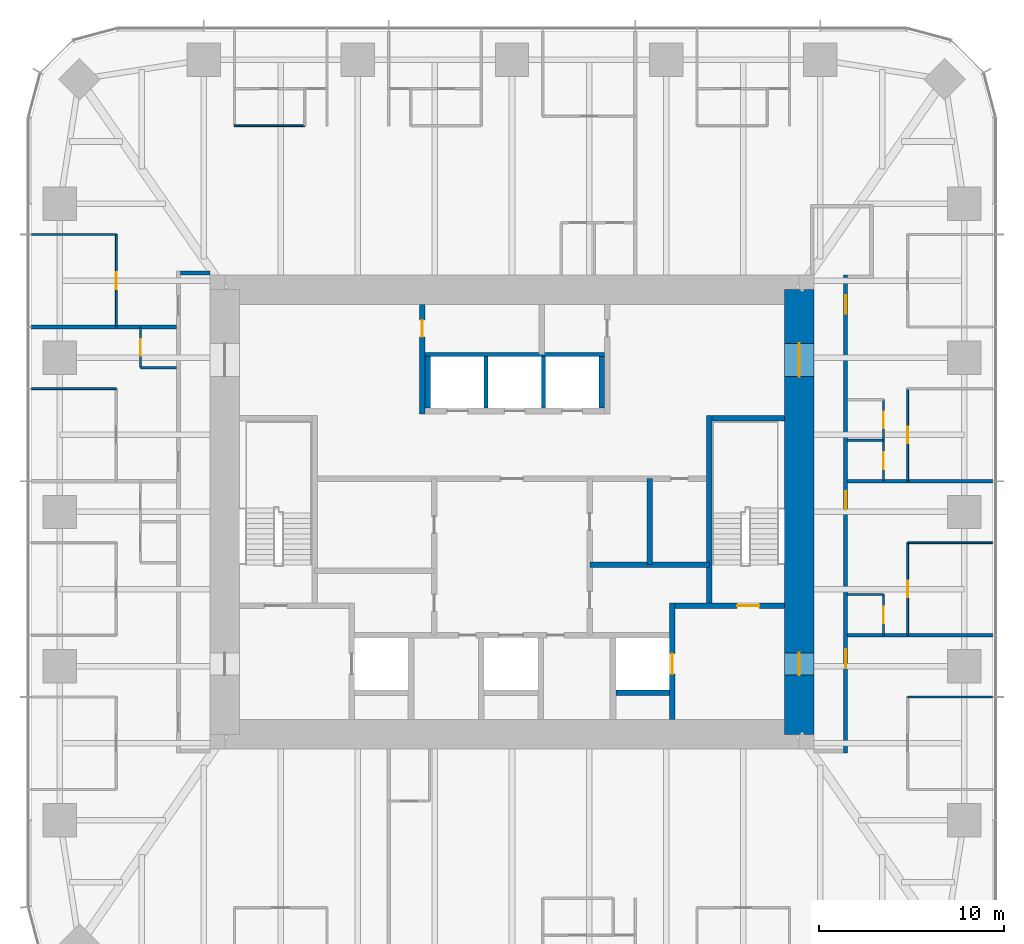
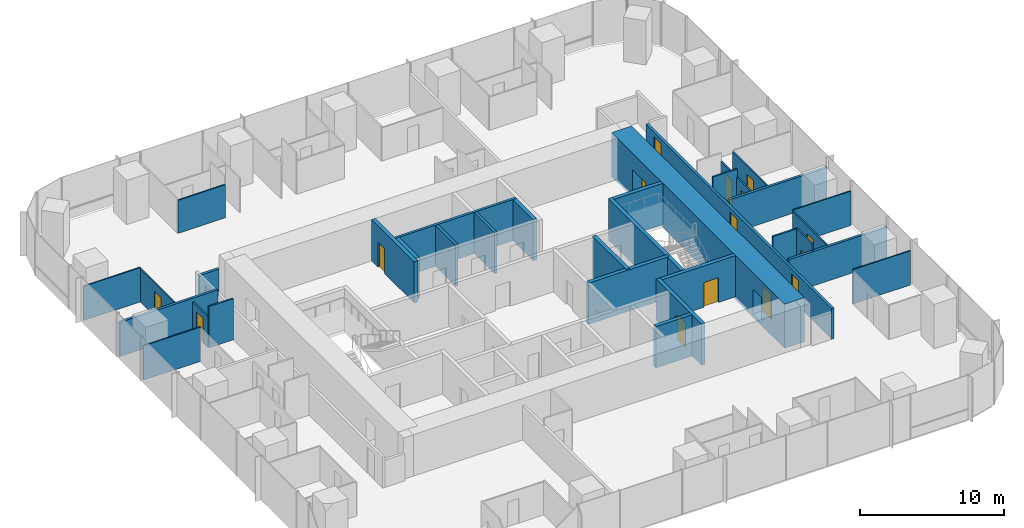
# One storey, part 10 of 12: 33 walls, 15 doors, 15 openings.
"""IFC4 building model written with IfcOpenShell, lengths in metres."""

from ifc_helpers import new_model, si_unit, direction, frame, frame_2d, origin, place, context, subcontext, project, spatial, rectangle, extrude, material, layer, layer_set, type_object, element, fill, save


model = new_model("IFC4")

# Units and contexts
model_context = context("Model", 3, precision=1e-05, world=origin(), true_north=direction((0.0, 1.0)))
body_context = subcontext(model_context, "Body", "Model", "MODEL_VIEW")
ifc_project = project(units=[si_unit("LENGTHUNIT", "METRE"), si_unit("AREAUNIT", "SQUARE_METRE"), si_unit("VOLUMEUNIT", "CUBIC_METRE"), si_unit("PLANEANGLEUNIT", "RADIAN"), si_unit("MASSUNIT", "GRAM", prefix="KILO")], contexts=[model_context])

# Site, building, storey
site_placement = place(None, origin())
site = spatial("IfcSite", under=ifc_project, at=site_placement, CompositionType="ELEMENT")
building_placement = place(site_placement, origin())
building = spatial("IfcBuilding", under=site, at=building_placement, Name="Khuree Lantern Residences", CompositionType="ELEMENT")
storey_placement = place(building_placement, frame((0.0, 0.0, 240.75)))
storey = spatial("IfcBuildingStorey", under=building, at=storey_placement, Name="L60", CompositionType="ELEMENT", Elevation=240.75)

# Wall, opening, door
ifc_material_1 = material(Name="Moisture-resistant gypsum board on steel studs", Category="steel")
ifc_layer_1 = layer(ifc_material_1, 0.125)
ifc_layer_set_1 = layer_set([ifc_layer_1], Name="BATHROOM WALL BTW125")
wall_type_1 = type_object("IfcWallType", Name="BATHROOM WALL BTW125", PredefinedType="PARTITIONING", material=ifc_layer_set_1)
wall_1_placement = place(storey_placement, frame((20.050048828125, -6.656005859375, 0.0), z_axis=(0.0, 0.0, 1.0), x_axis=(0.0, 1.0, 0.0)))
wall_1 = element("IfcWall", 1, at=wall_1_placement, inside=storey, type_object=wall_type_1, Name="L60 BATHROOM WALL 01", PredefinedType="PARTITIONING", context=body_context, shape_type="SweptSolid", body=[
    extrude(rectangle(XDim=2.199951171875, YDim=0.125, at=frame_2d((1.10009765625, 0.0))), origin(), (0.0, 0.0, 1.0), 3.5),
])
opening_1_placement = place(wall_1_placement, frame((0.64990234375, 0.0, 0.0)))
opening_1 = element("IfcOpeningElement", 2, at=opening_1_placement, cuts=wall_1, Name="Opening 60-024", PredefinedType="OPENING", context=body_context, shape_type="SweptSolid", body=[
    extrude(rectangle(XDim=0.89990234375, YDim=2.10009765625, at=frame_2d((0.449951171875, 1.050048828125))), frame((0.0, 0.072509765625, 0.0), z_axis=(0.0, -1.0, 0.0), x_axis=(1.0, 0.0, 0.0)), (0.0, 0.0, 1.0), 0.14501953125),
])
ifc_material_2 = material(Name="Timber door leaf in hardwood frame", Category="wood")
door_type_1 = type_object("IfcDoorType", Name="BATHROOM DOOR 900X2100", OperationType="SINGLE_SWING_LEFT", PredefinedType="DOOR", material=ifc_material_2)
door_1_placement = place(opening_1_placement, origin())
door_1 = element("IfcDoor", 3, at=door_1_placement, inside=storey, type_object=door_type_1, Name="Bathroom door 60-024", OperationType="SINGLE_SWING_LEFT", OverallHeight=2.10009765625, OverallWidth=0.89990234375, PredefinedType="DOOR", context=body_context, shape_type="SweptSolid", body=[
    extrude(rectangle(XDim=0.89990234375, YDim=2.10009765625, at=frame_2d((0.449951171875, 1.050048828125))), frame((0.0, 0.02490234375, 0.0), z_axis=(0.0, -1.0, 0.0), x_axis=(1.0, 0.0, 0.0)), (0.0, 0.0, 1.0), 0.050048828125),
])
fill(opening_1, door_1)

# Wall
wall_2_placement = place(storey_placement, frame((18.10009765625, -4.4560546875, 0.0), z_axis=(0.0, 0.0, 1.0), x_axis=(1.0, 0.0, 0.0)))
element("IfcWall", 4, at=wall_2_placement, inside=storey, type_object=wall_type_1, Name="L60 BATHROOM WALL 01", PredefinedType="PARTITIONING", context=body_context, shape_type="SweptSolid", body=[
    extrude(rectangle(XDim=1.949951171875, YDim=0.125, at=frame_2d((0.97509765625, 0.0))), origin(), (0.0, 0.0, 1.0), 3.5),
])

# Wall, openings, doors
wall_3_placement = place(storey_placement, frame((20.050048828125, 1.6640625, 0.0), z_axis=(0.0, 0.0, 1.0), x_axis=(0.0, 1.0, 0.0)))
wall_3 = element("IfcWall", 5, at=wall_3_placement, inside=storey, type_object=wall_type_1, Name="L60 BATHROOM WALL 02", PredefinedType="PARTITIONING", context=body_context, shape_type="SweptSolid", body=[
    extrude(rectangle(XDim=4.39990234375, YDim=0.125, at=frame_2d((2.199951171875, 0.0))), origin(), (0.0, 0.0, 1.0), 2.81005859375),
])
opening_2_placement = place(wall_3_placement, frame((0.64990234375, 0.0, 0.0)))
opening_2 = element("IfcOpeningElement", 6, at=opening_2_placement, cuts=wall_3, Name="Opening 60-030", PredefinedType="OPENING", context=body_context, shape_type="SweptSolid", body=[
    extrude(rectangle(XDim=0.89990234375, YDim=2.10009765625, at=frame_2d((0.449951171875, 1.050048828125))), frame((0.0, 0.072509765625, 0.0), z_axis=(0.0, -1.0, 0.0), x_axis=(1.0, 0.0, 0.0)), (0.0, 0.0, 1.0), 0.14501953125),
])
opening_3_placement = place(wall_3_placement, frame((2.85009765625, 0.0, 0.0)))
opening_3 = element("IfcOpeningElement", 7, at=opening_3_placement, cuts=wall_3, Name="Opening 60-031", PredefinedType="OPENING", context=body_context, shape_type="SweptSolid", body=[
    extrude(rectangle(XDim=0.89990234375, YDim=2.10009765625, at=frame_2d((0.449951171875, 1.050048828125))), frame((0.0, 0.072509765625, 0.0), z_axis=(0.0, -1.0, 0.0), x_axis=(1.0, 0.0, 0.0)), (0.0, 0.0, 1.0), 0.14501953125),
])
door_2_placement = place(opening_2_placement, origin())
door_2 = element("IfcDoor", 8, at=door_2_placement, inside=storey, type_object=door_type_1, Name="Bathroom door 60-030", OperationType="SINGLE_SWING_LEFT", OverallHeight=2.10009765625, OverallWidth=0.89990234375, PredefinedType="DOOR", context=body_context, shape_type="SweptSolid", body=[
    extrude(rectangle(XDim=0.89990234375, YDim=2.10009765625, at=frame_2d((0.449951171875, 1.050048828125))), frame((0.0, 0.02490234375, 0.0), z_axis=(0.0, -1.0, 0.0), x_axis=(1.0, 0.0, 0.0)), (0.0, 0.0, 1.0), 0.050048828125),
])
fill(opening_2, door_2)
door_3_placement = place(opening_3_placement, origin())
door_3 = element("IfcDoor", 9, at=door_3_placement, inside=storey, type_object=door_type_1, Name="Bathroom door 60-031", OperationType="SINGLE_SWING_LEFT", OverallHeight=2.10009765625, OverallWidth=0.89990234375, PredefinedType="DOOR", context=body_context, shape_type="SweptSolid", body=[
    extrude(rectangle(XDim=0.89990234375, YDim=2.10009765625, at=frame_2d((0.449951171875, 1.050048828125))), frame((0.0, 0.02490234375, 0.0), z_axis=(0.0, -1.0, 0.0), x_axis=(1.0, 0.0, 0.0)), (0.0, 0.0, 1.0), 0.050048828125),
])
fill(opening_3, door_3)

# Wall
wall_4_placement = place(storey_placement, frame((18.10009765625, 3.864013671875, 0.0), z_axis=(0.0, 0.0, 1.0), x_axis=(1.0, 0.0, 0.0)))
element("IfcWall", 10, at=wall_4_placement, inside=storey, type_object=wall_type_1, Name="L60 BATHROOM WALL 02", PredefinedType="PARTITIONING", context=body_context, shape_type="SweptSolid", body=[
    extrude(rectangle(XDim=1.949951171875, YDim=0.125, at=frame_2d((0.97509765625, 0.0))), origin(), (0.0, 0.0, 1.0), 3.5),
])

# Wall, opening, door
wall_5_placement = place(storey_placement, frame((-20.050048828125, 9.98388671875, 0.0), z_axis=(0.0, 0.0, 1.0), x_axis=(0.0, -1.0, 0.0)))
wall_5 = element("IfcWall", 11, at=wall_5_placement, inside=storey, type_object=wall_type_1, Name="L60 BATHROOM WALL 04", PredefinedType="PARTITIONING", context=body_context, shape_type="SweptSolid", body=[
    extrude(rectangle(XDim=2.199951171875, YDim=0.125, at=frame_2d((1.10009765625, 0.0))), origin(), (0.0, 0.0, 1.0), 2.60009765625),
])
opening_4_placement = place(wall_5_placement, frame((0.64990234375, 0.0, 0.0)))
opening_4 = element("IfcOpeningElement", 12, at=opening_4_placement, cuts=wall_5, Name="Opening 60-043", PredefinedType="OPENING", context=body_context, shape_type="SweptSolid", body=[
    extrude(rectangle(XDim=0.89990234375, YDim=2.10009765625, at=frame_2d((0.449951171875, 1.050048828125))), frame((0.0, 0.072509765625, 0.0), z_axis=(0.0, -1.0, 0.0), x_axis=(1.0, 0.0, 0.0)), (0.0, 0.0, 1.0), 0.14501953125),
])
door_4_placement = place(opening_4_placement, origin())
door_4 = element("IfcDoor", 13, at=door_4_placement, inside=storey, type_object=door_type_1, Name="Bathroom door 60-043", OperationType="SINGLE_SWING_LEFT", OverallHeight=2.10009765625, OverallWidth=0.89990234375, PredefinedType="DOOR", context=body_context, shape_type="SweptSolid", body=[
    extrude(rectangle(XDim=0.89990234375, YDim=2.10009765625, at=frame_2d((0.449951171875, 1.050048828125))), frame((0.0, 0.02490234375, 0.0), z_axis=(0.0, -1.0, 0.0), x_axis=(1.0, 0.0, 0.0)), (0.0, 0.0, 1.0), 0.050048828125),
])
fill(opening_4, door_4)

# Wall
wall_6_placement = place(storey_placement, frame((-18.10009765625, 7.783935546875, 0.0), z_axis=(0.0, 0.0, 1.0), x_axis=(-1.0, 0.0, 0.0)))
element("IfcWall", 14, at=wall_6_placement, inside=storey, type_object=wall_type_1, Name="L60 BATHROOM WALL 04", PredefinedType="PARTITIONING", context=body_context, shape_type="SweptSolid", body=[
    extrude(rectangle(XDim=1.949951171875, YDim=0.125, at=frame_2d((0.97509765625, 0.0))), origin(), (0.0, 0.0, 1.0), 3.5),
])

# Wall, opening, door
ifc_material_3 = material(Name="Dense concrete blockwork", Category="masonry")
ifc_layer_2 = layer(ifc_material_3, 0.300048828125)
ifc_layer_set_2 = layer_set([ifc_layer_2], Name="CORE PARTITION WALL CPW300 EI 120")
wall_type_2 = type_object("IfcWallType", Name="CORE PARTITION WALL CPW300 EI 120", PredefinedType="PARTITIONING", material=ifc_layer_set_2)
wall_7_placement = place(storey_placement, frame((8.64990234375, -11.199951171875, 0.0), z_axis=(0.0, 0.0, 1.0), x_axis=(0.0, 1.0, 0.0)))
wall_7 = element("IfcWall", 15, at=wall_7_placement, inside=storey, type_object=wall_type_2, Name="L60 CORE WALL FL2E", PredefinedType="PARTITIONING", context=body_context, shape_type="SweptSolid", body=[
    extrude(rectangle(XDim=6.300048828125, YDim=0.300048828125, at=frame_2d((3.14990234375, 0.0))), origin(), (0.0, 0.0, 1.0), 3.5),
])
opening_5_placement = place(wall_7_placement, frame((2.449951171875, 0.0, 0.0)))
opening_5 = element("IfcOpeningElement", 16, at=opening_5_placement, cuts=wall_7, Name="Opening 60-008", PredefinedType="OPENING", context=body_context, shape_type="SweptSolid", body=[
    extrude(rectangle(XDim=1.10009765625, YDim=2.10009765625, at=frame_2d((0.550048828125, 1.050048828125))), frame((0.0, 0.16015625, 0.0), z_axis=(0.0, -1.0, 0.0), x_axis=(1.0, 0.0, 0.0)), (0.0, 0.0, 1.0), 0.320068359375),
])
ifc_material_4 = material(Name="Stainless steel lift landing door", Category="steel")
door_type_2 = type_object("IfcDoorType", Name="LIFT LANDING DOOR 1100X2100 E 120", OperationType="DOUBLE_DOOR_SLIDING", PredefinedType="DOOR", material=ifc_material_4)
door_5_placement = place(opening_5_placement, origin())
door_5 = element("IfcDoor", 17, at=door_5_placement, inside=storey, type_object=door_type_2, Name="Landing door FL2 60-008", OperationType="DOUBLE_DOOR_SLIDING", OverallHeight=2.10009765625, OverallWidth=1.10009765625, PredefinedType="DOOR", context=body_context, shape_type="SweptSolid", body=[
    extrude(rectangle(XDim=1.10009765625, YDim=2.10009765625, at=frame_2d((0.550048828125, 1.050048828125))), frame((0.0, 0.02490234375, 0.0), z_axis=(0.0, -1.0, 0.0), x_axis=(1.0, 0.0, 0.0)), (0.0, 0.0, 1.0), 0.050048828125),
])
fill(opening_5, door_5)

# Walls
wall_8_placement = place(storey_placement, frame((5.60009765625, -9.75, 0.0), z_axis=(0.0, 0.0, 1.0), x_axis=(1.0, 0.0, 0.0)))
element("IfcWall", 18, at=wall_8_placement, inside=storey, type_object=wall_type_2, Name="L60 CORE WALL FL2S", PredefinedType="PARTITIONING", context=body_context, shape_type="SweptSolid", body=[
    extrude(rectangle(XDim=2.89990234375, YDim=0.300048828125, at=frame_2d((1.449951171875, 0.0))), origin(), (0.0, 0.0, 1.0), 3.5),
])
for number, where, z_axis, x_axis, name in (
    (19, (-4.550048828125, 5.60009765625, 0.0), (0.0, 0.0, 1.0), (0.0, 1.0, 0.0), "L60 CORE WALL PHW"),
    (20, (4.85009765625, 5.60009765625, 0.0), (0.0, 0.0, 1.0), (0.0, 1.0, 0.0), "L60 CORE WALL PHE"),
):
    element("IfcWall", number, at=place(storey_placement, frame(where, z_axis=z_axis, x_axis=x_axis)), inside=storey, type_object=wall_type_2, Name=name, PredefinedType="PARTITIONING", context=body_context, shape_type="SweptSolid", body=[
        extrude(rectangle(XDim=2.7998046875, YDim=0.300048828125, at=frame_2d((1.39990234375, 0.0))), origin(), (0.0, 0.0, 1.0), 3.5),
    ])
wall_9_placement = place(storey_placement, frame((10.64990234375, -2.847900390625, 0.0), z_axis=(0.0, 0.0, 1.0), x_axis=(-1.0, 0.0, 0.0)))
element("IfcWall", 21, at=wall_9_placement, inside=storey, type_object=wall_type_2, Name="L60 CORE WALL EX", PredefinedType="PARTITIONING", context=body_context, shape_type="SweptSolid", body=[
    extrude(rectangle(XDim=6.449951171875, YDim=0.300048828125, at=frame_2d((3.22509765625, 0.0))), origin(), (0.0, 0.0, 1.0), 3.5),
])
wall_10_placement = place(storey_placement, frame((7.425048828125, -2.847900390625, 0.0), z_axis=(0.0, 0.0, 1.0), x_axis=(0.0, 1.0, 0.0)))
element("IfcWall", 22, at=wall_10_placement, inside=storey, type_object=wall_type_2, Name="L60 CORE WALL EV", PredefinedType="PARTITIONING", context=body_context, shape_type="SweptSolid", body=[
    extrude(rectangle(XDim=4.64794921875, YDim=0.300048828125, at=frame_2d((2.323974609375, 0.0))), origin(), (0.0, 0.0, 1.0), 3.5),
])

# Wall, opening, door
wall_11_placement = place(storey_placement, frame((-4.85009765625, 5.300048828125, 0.0), z_axis=(0.0, 0.0, 1.0), x_axis=(0.0, 1.0, 0.0)))
wall_11 = element("IfcWall", 23, at=wall_11_placement, inside=storey, type_object=wall_type_2, Name="L60 CORE WALL NW", PredefinedType="PARTITIONING", context=body_context, shape_type="SweptSolid", body=[
    extrude(rectangle(XDim=5.89990234375, YDim=0.300048828125, at=frame_2d((2.949951171875, 0.0))), origin(), (0.0, 0.0, 1.0), 3.5),
])
opening_6_placement = place(wall_11_placement, frame((4.14990234375, 0.0, 0.0)))
opening_6 = element("IfcOpeningElement", 24, at=opening_6_placement, cuts=wall_11, Name="Opening 60-021", PredefinedType="OPENING", context=body_context, shape_type="SweptSolid", body=[
    extrude(rectangle(XDim=0.89990234375, YDim=2.10009765625, at=frame_2d((0.449951171875, 1.050048828125))), frame((0.0, 0.16015625, 0.0), z_axis=(0.0, -1.0, 0.0), x_axis=(1.0, 0.0, 0.0)), (0.0, 0.0, 1.0), 0.320068359375),
])
door_type_3 = type_object("IfcDoorType", Name="DOOR 900X2100 RIGHT HAND", OperationType="SINGLE_SWING_RIGHT", PredefinedType="DOOR", material=ifc_material_2)
door_6_placement = place(opening_6_placement, origin())
door_6 = element("IfcDoor", 25, at=door_6_placement, inside=storey, type_object=door_type_3, Name="Bulky waste store door 60-021", OperationType="SINGLE_SWING_RIGHT", OverallHeight=2.10009765625, OverallWidth=0.89990234375, PredefinedType="DOOR", context=body_context, shape_type="SweptSolid", body=[
    extrude(rectangle(XDim=0.89990234375, YDim=2.10009765625, at=frame_2d((0.449951171875, 1.050048828125))), frame((0.0, 0.02490234375, 0.0), z_axis=(0.0, -1.0, 0.0), x_axis=(1.0, 0.0, 0.0)), (0.0, 0.0, 1.0), 0.050048828125),
])
fill(opening_6, door_6)

# Wall
ifc_material_5 = material(Name="Gypsum board on steel studs", Category="steel")
ifc_layer_3 = layer(ifc_material_5, 0.199951171875)
ifc_layer_set_3 = layer_set([ifc_layer_3], Name="CORRIDOR WALL CRW200 EI 60")
wall_type_3 = type_object("IfcWallType", Name="CORRIDOR WALL CRW200 EI 60", PredefinedType="PARTITIONING", material=ifc_layer_set_3)
wall_12_placement = place(storey_placement, frame((-16.300048828125, 12.89990234375, 0.0), z_axis=(0.0, 0.0, 1.0), x_axis=(-1.0, 0.0, 0.0)))
element("IfcWall", 26, at=wall_12_placement, inside=storey, type_object=wall_type_3, Name="L60 WEST CORRIDOR NORTH END WALL", PredefinedType="PARTITIONING", context=body_context, shape_type="SweptSolid", body=[
    extrude(rectangle(XDim=1.599853515625, YDim=0.199951171875, at=frame_2d((0.7998046875, 0.0))), origin(), (0.0, 0.0, 1.0), 2.300048828125),
])

# Wall, openings, doors
wall_13_placement = place(storey_placement, frame((18.0, -13.0, 0.0), z_axis=(0.0, 0.0, 1.0), x_axis=(0.0, 1.0, 0.0)))
wall_13 = element("IfcWall", 27, at=wall_13_placement, inside=storey, type_object=wall_type_3, Name="L60 CORRIDOR WALL EAST 1", PredefinedType="PARTITIONING", context=body_context, shape_type="SweptSolid", body=[
    extrude(rectangle(XDim=25.800048828125, YDim=0.199951171875, at=frame_2d((12.89990234375, 0.0))), origin(), (0.0, 0.0, 1.0), 2.60009765625),
])
opening_7_placement = place(wall_13_placement, frame((13.114013671875, 0.0, 0.0)))
opening_7 = element("IfcOpeningElement", 28, at=opening_7_placement, cuts=wall_13, Name="Opening 60-025", PredefinedType="OPENING", context=body_context, shape_type="SweptSolid", body=[
    extrude(rectangle(XDim=1.0, YDim=2.199951171875, at=frame_2d((0.5, 1.10009765625))), frame((0.0, 0.10986328125, 0.0), z_axis=(0.0, -1.0, 0.0), x_axis=(1.0, 0.0, 0.0)), (0.0, 0.0, 1.0), 0.219970703125),
])
opening_8_placement = place(wall_13_placement, frame((23.68408203125, 0.0, 0.0)))
opening_8 = element("IfcOpeningElement", 29, at=opening_8_placement, cuts=wall_13, Name="Opening 60-032", PredefinedType="OPENING", context=body_context, shape_type="SweptSolid", body=[
    extrude(rectangle(XDim=1.0, YDim=2.199951171875, at=frame_2d((0.5, 1.10009765625))), frame((0.0, 0.10986328125, 0.0), z_axis=(0.0, -1.0, 0.0), x_axis=(1.0, 0.0, 0.0)), (0.0, 0.0, 1.0), 0.219970703125),
])
opening_9_placement = place(wall_13_placement, frame((4.60009765625, 0.0, 0.0)))
opening_9 = element("IfcOpeningElement", 30, at=opening_9_placement, cuts=wall_13, Name="Opening 60-056", PredefinedType="OPENING", context=body_context, shape_type="SweptSolid", body=[
    extrude(rectangle(XDim=1.0, YDim=2.199951171875, at=frame_2d((0.5, 1.10009765625))), frame((0.0, 0.10986328125, 0.0), z_axis=(0.0, -1.0, 0.0), x_axis=(1.0, 0.0, 0.0)), (0.0, 0.0, 1.0), 0.219970703125),
])
door_type_4 = type_object("IfcDoorType", Name="APARTMENT ENTRANCE DOOR 1000X2200 EI 30S", OperationType="SINGLE_SWING_LEFT", PredefinedType="DOOR", material=ifc_material_2)
door_7_placement = place(opening_7_placement, origin())
door_7 = element("IfcDoor", 31, at=door_7_placement, inside=storey, type_object=door_type_4, Name="Apartment 01 entrance door 60-025", OperationType="SINGLE_SWING_LEFT", OverallHeight=2.199951171875, OverallWidth=1.0, PredefinedType="DOOR", context=body_context, shape_type="SweptSolid", body=[
    extrude(rectangle(XDim=1.0, YDim=2.199951171875, at=frame_2d((0.5, 1.10009765625))), frame((0.0, 0.02490234375, 0.0), z_axis=(0.0, -1.0, 0.0), x_axis=(1.0, 0.0, 0.0)), (0.0, 0.0, 1.0), 0.050048828125),
])
fill(opening_7, door_7)
door_8_placement = place(opening_8_placement, origin())
door_8 = element("IfcDoor", 32, at=door_8_placement, inside=storey, type_object=door_type_4, Name="Apartment 02 entrance door 60-032", OperationType="SINGLE_SWING_LEFT", OverallHeight=2.199951171875, OverallWidth=1.0, PredefinedType="DOOR", context=body_context, shape_type="SweptSolid", body=[
    extrude(rectangle(XDim=1.0, YDim=2.199951171875, at=frame_2d((0.5, 1.10009765625))), frame((0.0, 0.02490234375, 0.0), z_axis=(0.0, -1.0, 0.0), x_axis=(1.0, 0.0, 0.0)), (0.0, 0.0, 1.0), 0.050048828125),
])
fill(opening_8, door_8)
door_9_placement = place(opening_9_placement, origin())
door_9 = element("IfcDoor", 33, at=door_9_placement, inside=storey, type_object=door_type_4, Name="Apartment 06 entrance door 60-056", OperationType="SINGLE_SWING_LEFT", OverallHeight=2.199951171875, OverallWidth=1.0, PredefinedType="DOOR", context=body_context, shape_type="SweptSolid", body=[
    extrude(rectangle(XDim=1.0, YDim=2.199951171875, at=frame_2d((0.5, 1.10009765625))), frame((0.0, 0.02490234375, 0.0), z_axis=(0.0, -1.0, 0.0), x_axis=(1.0, 0.0, 0.0)), (0.0, 0.0, 1.0), 0.050048828125),
])
fill(opening_9, door_9)

ifc_material_6 = material(Name="Concrete C50/60", Category="concrete")
ifc_layer_4 = layer(ifc_material_6, 1.60009765625)
ifc_layer_set_4 = layer_set([ifc_layer_4], Name="CW1600-C50 CORE WALL C50 1600")
wall_type_4 = type_object("IfcWallType", Name="CW1600-C50 CORE WALL C50 1600", PredefinedType="SHEAR", material=ifc_layer_set_4)
wall_14_placement = place(storey_placement, frame((15.5, -12.0, -0.25), z_axis=(0.0, 0.0, 1.0), x_axis=(0.0, 1.0, 0.0)))
wall_14 = element("IfcWall", 34, at=wall_14_placement, inside=storey, type_object=wall_type_4, Name="Core wall E", PredefinedType="SHEAR", context=body_context, shape_type="SweptSolid", body=[
    extrude(rectangle(XDim=24.0, YDim=1.60009765625, at=frame_2d((12.0, 0.0))), origin(), (0.0, 0.0, 1.0), 3.75),
])
opening_10_placement = place(wall_14_placement, frame((3.199951171875, 0.0, 0.25)))
opening_10 = element("IfcOpeningElement", 35, at=opening_10_placement, cuts=wall_14, Name="Opening 60-005", PredefinedType="OPENING", context=body_context, shape_type="SweptSolid", body=[
    extrude(rectangle(XDim=1.199951171875, YDim=2.10009765625, at=frame_2d((0.60009765625, 1.050048828125))), frame((0.0, 0.81005859375, 0.0), z_axis=(0.0, -1.0, 0.0), x_axis=(1.0, 0.0, 0.0)), (0.0, 0.0, 1.0), 1.6201171875),
])
opening_11_placement = place(wall_14_placement, frame((19.300048828125, 0.0, 0.25)))
opening_11 = element("IfcOpeningElement", 36, at=opening_11_placement, cuts=wall_14, Name="Opening 60-006", PredefinedType="OPENING", context=body_context, shape_type="SweptSolid", body=[
    extrude(rectangle(XDim=1.800048828125, YDim=2.10009765625, at=frame_2d((0.89990234375, 1.050048828125))), frame((0.0, 0.81005859375, 0.0), z_axis=(0.0, -1.0, 0.0), x_axis=(1.0, 0.0, 0.0)), (0.0, 0.0, 1.0), 1.6201171875),
])
ifc_material_7 = material(Name="Steel door leaf in steel frame", Category="steel")
door_type_5 = type_object("IfcDoorType", Name="LOBBY DOOR 1200X2100 EI 120", OperationType="SINGLE_SWING_LEFT", PredefinedType="DOOR", material=ifc_material_7)
door_10_placement = place(opening_10_placement, origin())
door_10 = element("IfcDoor", 37, at=door_10_placement, inside=storey, type_object=door_type_5, Name="Firefighting lobby door 60-005", OperationType="SINGLE_SWING_LEFT", OverallHeight=2.10009765625, OverallWidth=1.199951171875, PredefinedType="DOOR", context=body_context, shape_type="SweptSolid", body=[
    extrude(rectangle(XDim=1.199951171875, YDim=2.10009765625, at=frame_2d((0.60009765625, 1.050048828125))), frame((0.0, 0.02490234375, 0.0), z_axis=(0.0, -1.0, 0.0), x_axis=(1.0, 0.0, 0.0)), (0.0, 0.0, 1.0), 0.050048828125),
])
fill(opening_10, door_10)
door_type_6 = type_object("IfcDoorType", Name="LOBBY DOUBLE DOOR 1800X2100 EI 60", OperationType="DOUBLE_DOOR_SINGLE_SWING", PredefinedType="DOOR", material=ifc_material_7)
door_11_placement = place(opening_11_placement, origin())
door_11 = element("IfcDoor", 38, at=door_11_placement, inside=storey, type_object=door_type_6, Name="Lift lobby door 60-006", OperationType="DOUBLE_DOOR_SINGLE_SWING", OverallHeight=2.10009765625, OverallWidth=1.800048828125, PredefinedType="DOOR", context=body_context, shape_type="SweptSolid", body=[
    extrude(rectangle(XDim=1.800048828125, YDim=2.10009765625, at=frame_2d((0.89990234375, 1.050048828125))), frame((0.0, 0.02490234375, 0.0), z_axis=(0.0, -1.0, 0.0), x_axis=(1.0, 0.0, 0.0)), (0.0, 0.0, 1.0), 0.050048828125),
])
fill(opening_11, door_11)

# Walls
ifc_layer_5 = layer(ifc_material_5, 0.199951171875)
ifc_layer_set_5 = layer_set([ifc_layer_5], Name="DEMISING WALL DMW200 EI 90")
wall_type_5 = type_object("IfcWallType", Name="DEMISING WALL DMW200 EI 90", PredefinedType="PARTITIONING", material=ifc_layer_set_5)
for number, where, z_axis, x_axis, name in (
    (39, (18.10009765625, -6.656005859375, 0.0), (0.0, 0.0, 1.0), (1.0, 0.0, 0.0), "L60 DEMISING WALL 01"),
    (40, (18.10009765625, 1.6640625, 0.0), (0.0, 0.0, 1.0), (1.0, 0.0, 0.0), "L60 DEMISING WALL 02"),
    (41, (-18.10009765625, 9.98388671875, 0.0), (0.0, 0.0, 1.0), (-1.0, 0.0, 0.0), "L60 DEMISING WALL 04"),
):
    element("IfcWall", number, at=place(storey_placement, frame(where, z_axis=z_axis, x_axis=x_axis)), inside=storey, type_object=wall_type_5, Name=name, PredefinedType="PARTITIONING", context=body_context, shape_type="SweptSolid", body=[
        extrude(rectangle(XDim=7.849853515625, YDim=0.199951171875, at=frame_2d((3.9248046875, 0.0))), origin(), (0.0, 0.0, 1.0), 2.909912109375),
    ])
ifc_layer_6 = layer(ifc_material_5, 0.10009765625)
ifc_layer_set_6 = layer_set([ifc_layer_6], Name="PARTITION PT100")
wall_type_6 = type_object("IfcWallType", Name="PARTITION PT100", PredefinedType="PARTITIONING", material=ifc_layer_set_6)
for number, where, z_axis, x_axis, name in (
    (42, (21.35009765625, -1.6640625, 0.0), (0.0, 0.0, 1.0), (1.0, 0.0, 0.0), "L60 PARTITION 01"),
    (43, (-21.35009765625, 14.97607421875, 0.0), (0.0, 0.0, 1.0), (-1.0, 0.0, 0.0), "L60 PARTITION 03"),
    (44, (-21.35009765625, 6.656005859375, 0.0), (0.0, 0.0, 1.0), (-1.0, 0.0, 0.0), "L60 PARTITION 04"),
    (45, (21.35009765625, -9.98388671875, 0.0), (0.0, 0.0, 1.0), (1.0, 0.0, 0.0), "L60 PARTITION 06"),
):
    element("IfcWall", number, at=place(storey_placement, frame(where, z_axis=z_axis, x_axis=x_axis)), inside=storey, type_object=wall_type_6, Name=name, PredefinedType="PARTITIONING", context=body_context, shape_type="SweptSolid", body=[
        extrude(rectangle(XDim=4.599853515625, YDim=0.10009765625, at=frame_2d((2.2998046875, 0.0))), origin(), (0.0, 0.0, 1.0), 2.909912109375),
    ])

# Wall, opening, door
wall_15_placement = place(storey_placement, frame((21.35009765625, -6.656005859375, 0.0), z_axis=(0.0, 0.0, 1.0), x_axis=(0.0, 1.0, 0.0)))
wall_15 = element("IfcWall", 46, at=wall_15_placement, inside=storey, type_object=wall_type_6, Name="L60 PARTITION 01", PredefinedType="PARTITIONING", context=body_context, shape_type="SweptSolid", body=[
    extrude(rectangle(XDim=4.991943359375, YDim=0.10009765625, at=frame_2d((2.49609375, 0.0))), origin(), (0.0, 0.0, 1.0), 2.81005859375),
])
opening_12_placement = place(wall_15_placement, frame((2.0458984375, 0.0, 0.0)))
opening_12 = element("IfcOpeningElement", 47, at=opening_12_placement, cuts=wall_15, Name="Opening 60-023", PredefinedType="OPENING", context=body_context, shape_type="SweptSolid", body=[
    extrude(rectangle(XDim=0.89990234375, YDim=2.10009765625, at=frame_2d((0.449951171875, 1.050048828125))), frame((0.0, 0.06005859375, 0.0), z_axis=(0.0, -1.0, 0.0), x_axis=(1.0, 0.0, 0.0)), (0.0, 0.0, 1.0), 0.1201171875),
])
door_type_7 = type_object("IfcDoorType", Name="BEDROOM DOOR 900X2100", OperationType="SINGLE_SWING_LEFT", PredefinedType="DOOR", material=ifc_material_2)
door_12_placement = place(opening_12_placement, origin())
door_12 = element("IfcDoor", 48, at=door_12_placement, inside=storey, type_object=door_type_7, Name="Bedroom door 60-023", OperationType="SINGLE_SWING_LEFT", OverallHeight=2.10009765625, OverallWidth=0.89990234375, PredefinedType="DOOR", context=body_context, shape_type="SweptSolid", body=[
    extrude(rectangle(XDim=0.89990234375, YDim=2.10009765625, at=frame_2d((0.449951171875, 1.050048828125))), frame((0.0, 0.02490234375, 0.0), z_axis=(0.0, -1.0, 0.0), x_axis=(1.0, 0.0, 0.0)), (0.0, 0.0, 1.0), 0.050048828125),
])
fill(opening_12, door_12)

wall_16_placement = place(storey_placement, frame((21.35009765625, 1.6640625, 0.0), z_axis=(0.0, 0.0, 1.0), x_axis=(0.0, 1.0, 0.0)))
wall_16 = element("IfcWall", 49, at=wall_16_placement, inside=storey, type_object=wall_type_6, Name="L60 PARTITION 02", PredefinedType="PARTITIONING", context=body_context, shape_type="SweptSolid", body=[
    extrude(rectangle(XDim=4.991943359375, YDim=0.10009765625, at=frame_2d((2.49609375, 0.0))), origin(), (0.0, 0.0, 1.0), 2.81005859375),
])
opening_13_placement = place(wall_16_placement, frame((2.0458984375, 0.0, 0.0)))
opening_13 = element("IfcOpeningElement", 50, at=opening_13_placement, cuts=wall_16, Name="Opening 60-026", PredefinedType="OPENING", context=body_context, shape_type="SweptSolid", body=[
    extrude(rectangle(XDim=0.89990234375, YDim=2.10009765625, at=frame_2d((0.449951171875, 1.050048828125))), frame((0.0, 0.06005859375, 0.0), z_axis=(0.0, -1.0, 0.0), x_axis=(1.0, 0.0, 0.0)), (0.0, 0.0, 1.0), 0.1201171875),
])
door_13_placement = place(opening_13_placement, origin())
door_13 = element("IfcDoor", 51, at=door_13_placement, inside=storey, type_object=door_type_7, Name="Bedroom door 60-026", OperationType="SINGLE_SWING_LEFT", OverallHeight=2.10009765625, OverallWidth=0.89990234375, PredefinedType="DOOR", context=body_context, shape_type="SweptSolid", body=[
    extrude(rectangle(XDim=0.89990234375, YDim=2.10009765625, at=frame_2d((0.449951171875, 1.050048828125))), frame((0.0, 0.02490234375, 0.0), z_axis=(0.0, -1.0, 0.0), x_axis=(1.0, 0.0, 0.0)), (0.0, 0.0, 1.0), 0.050048828125),
])
fill(opening_13, door_13)

# Wall
wall_17_placement = place(storey_placement, frame((-11.18408203125, 20.844970703125, 0.0), z_axis=(0.0, 0.0, 1.0), x_axis=(-1.0, 0.0, 0.0)))
element("IfcWall", 52, at=wall_17_placement, inside=storey, type_object=wall_type_6, Name="L60 PARTITION 03", PredefinedType="PARTITIONING", context=body_context, shape_type="SweptSolid", body=[
    extrude(rectangle(XDim=3.7919921875, YDim=0.10009765625, at=frame_2d((1.89599609375, 0.0))), origin(), (0.0, 0.0, 1.0), 2.81005859375),
])

# Wall, opening, door
wall_18_placement = place(storey_placement, frame((-21.35009765625, 14.97607421875, 0.0), z_axis=(0.0, 0.0, 1.0), x_axis=(0.0, -1.0, 0.0)))
wall_18 = element("IfcWall", 53, at=wall_18_placement, inside=storey, type_object=wall_type_6, Name="L60 PARTITION 03", PredefinedType="PARTITIONING", context=body_context, shape_type="SweptSolid", body=[
    extrude(rectangle(XDim=4.9921875, YDim=0.10009765625, at=frame_2d((2.49609375, 0.0))), origin(), (0.0, 0.0, 1.0), 2.81005859375),
])
opening_14_placement = place(wall_18_placement, frame((2.0458984375, 0.0, 0.0)))
opening_14 = element("IfcOpeningElement", 54, at=opening_14_placement, cuts=wall_18, Name="Opening 60-038", PredefinedType="OPENING", context=body_context, shape_type="SweptSolid", body=[
    extrude(rectangle(XDim=0.89990234375, YDim=2.10009765625, at=frame_2d((0.449951171875, 1.050048828125))), frame((0.0, 0.06005859375, 0.0), z_axis=(0.0, -1.0, 0.0), x_axis=(1.0, 0.0, 0.0)), (0.0, 0.0, 1.0), 0.1201171875),
])
door_type_8 = type_object("IfcDoorType", Name="BEDROOM DOOR 900X2100 RIGHT HAND", OperationType="SINGLE_SWING_RIGHT", PredefinedType="DOOR", material=ifc_material_2)
door_14_placement = place(opening_14_placement, origin())
door_14 = element("IfcDoor", 55, at=door_14_placement, inside=storey, type_object=door_type_8, Name="Bedroom door 60-038", OperationType="SINGLE_SWING_RIGHT", OverallHeight=2.10009765625, OverallWidth=0.89990234375, PredefinedType="DOOR", context=body_context, shape_type="SweptSolid", body=[
    extrude(rectangle(XDim=0.89990234375, YDim=2.10009765625, at=frame_2d((0.449951171875, 1.050048828125))), frame((0.0, 0.02490234375, 0.0), z_axis=(0.0, -1.0, 0.0), x_axis=(1.0, 0.0, 0.0)), (0.0, 0.0, 1.0), 0.050048828125),
])
fill(opening_14, door_14)

# Walls
ifc_layer_7 = layer(ifc_material_3, 0.199951171875)
ifc_layer_set_7 = layer_set([ifc_layer_7], Name="SHAFT WALL SHW200 EI 120")
wall_type_7 = type_object("IfcWallType", Name="SHAFT WALL SHW200 EI 120", PredefinedType="PARTITIONING", material=ifc_layer_set_7)
wall_19_placement = place(storey_placement, frame((-4.699951171875, 8.5, 0.0), z_axis=(0.0, 0.0, 1.0), x_axis=(1.0, 0.0, 0.0)))
element("IfcWall", 56, at=wall_19_placement, inside=storey, type_object=wall_type_7, Name="L60 CORE WALL PHN", PredefinedType="PARTITIONING", context=body_context, shape_type="SweptSolid", body=[
    extrude(rectangle(XDim=9.699951171875, YDim=0.199951171875, at=frame_2d((4.85009765625, 0.0))), origin(), (0.0, 0.0, 1.0), 3.5),
])
for number, where, z_axis, x_axis, name in (
    (57, (-1.39990234375, 5.60009765625, 0.0), (0.0, 0.0, 1.0), (0.0, 1.0, 0.0), "L60 CORE WALL PHD1"),
    (58, (1.699951171875, 5.60009765625, 0.0), (0.0, 0.0, 1.0), (0.0, 1.0, 0.0), "L60 CORE WALL PHD2"),
):
    element("IfcWall", number, at=place(storey_placement, frame(where, z_axis=z_axis, x_axis=x_axis)), inside=storey, type_object=wall_type_7, Name=name, PredefinedType="PARTITIONING", context=body_context, shape_type="SweptSolid", body=[
        extrude(rectangle(XDim=2.7998046875, YDim=0.199951171875, at=frame_2d((1.39990234375, 0.0))), origin(), (0.0, 0.0, 1.0), 3.5),
    ])
ifc_layer_8 = layer(ifc_material_6, 0.300048828125)
ifc_layer_set_8 = layer_set([ifc_layer_8], Name="STAIR WALL SRW300 C50/60 REI 240")
wall_type_8 = type_object("IfcWallType", Name="STAIR WALL SRW300 C50/60 REI 240", PredefinedType="SOLIDWALL", material=ifc_layer_set_8)
wall_20_placement = place(storey_placement, frame((10.64990234375, -4.89990234375, 0.0), z_axis=(0.0, 0.0, 1.0), x_axis=(0.0, 1.0, 0.0)))
element("IfcWall", 59, at=wall_20_placement, inside=storey, type_object=wall_type_8, Name="L60 STAIR WALL ST2E", PredefinedType="SOLIDWALL", context=body_context, shape_type="SweptSolid", body=[
    extrude(rectangle(XDim=10.099853515625, YDim=0.300048828125, at=frame_2d((5.0498046875, 0.0))), origin(), (0.0, 0.0, 1.0), 3.5),
])

# Wall, opening, door
wall_21_placement = place(storey_placement, frame((14.699951171875, -5.050048828125, 0.0), z_axis=(0.0, 0.0, 1.0), x_axis=(-1.0, 0.0, 0.0)))
wall_21 = element("IfcWall", 60, at=wall_21_placement, inside=storey, type_object=wall_type_8, Name="L60 STAIR WALL ST2S", PredefinedType="SOLIDWALL", context=body_context, shape_type="SweptSolid", body=[
    extrude(rectangle(XDim=5.89990234375, YDim=0.300048828125, at=frame_2d((2.949951171875, 0.0))), origin(), (0.0, 0.0, 1.0), 3.5),
])
opening_15_placement = place(wall_21_placement, frame((1.35009765625, 0.0, 0.0)))
opening_15 = element("IfcOpeningElement", 61, at=opening_15_placement, cuts=wall_21, Name="Opening 60-004", PredefinedType="OPENING", context=body_context, shape_type="SweptSolid", body=[
    extrude(rectangle(XDim=1.199951171875, YDim=2.10009765625, at=frame_2d((0.60009765625, 1.050048828125))), frame((0.0, 0.16015625, 0.0), z_axis=(0.0, -1.0, 0.0), x_axis=(1.0, 0.0, 0.0)), (0.0, 0.0, 1.0), 0.320068359375),
])
door_type_9 = type_object("IfcDoorType", Name="STAIR DOOR 1200X2100 EI 120", OperationType="SINGLE_SWING_LEFT", PredefinedType="DOOR", material=ifc_material_7)
door_15_placement = place(opening_15_placement, origin())
door_15 = element("IfcDoor", 62, at=door_15_placement, inside=storey, type_object=door_type_9, Name="Stair ST2 door 60-004", OperationType="SINGLE_SWING_LEFT", OverallHeight=2.10009765625, OverallWidth=1.199951171875, PredefinedType="DOOR", context=body_context, shape_type="SweptSolid", body=[
    extrude(rectangle(XDim=1.199951171875, YDim=2.10009765625, at=frame_2d((0.60009765625, 1.050048828125))), frame((0.0, 0.02490234375, 0.0), z_axis=(0.0, -1.0, 0.0), x_axis=(1.0, 0.0, 0.0)), (0.0, 0.0, 1.0), 0.050048828125),
])
fill(opening_15, door_15)

# Wall
wall_22_placement = place(storey_placement, frame((14.699951171875, 5.050048828125, 0.0), z_axis=(0.0, 0.0, 1.0), x_axis=(-1.0, 0.0, 0.0)))
element("IfcWall", 63, at=wall_22_placement, inside=storey, type_object=wall_type_8, Name="L60 STAIR WALL ST2N", PredefinedType="SOLIDWALL", context=body_context, shape_type="SweptSolid", body=[
    extrude(rectangle(XDim=3.89990234375, YDim=0.300048828125, at=frame_2d((1.949951171875, 0.0))), origin(), (0.0, 0.0, 1.0), 3.5),
])

save(model, "model.ifc")
